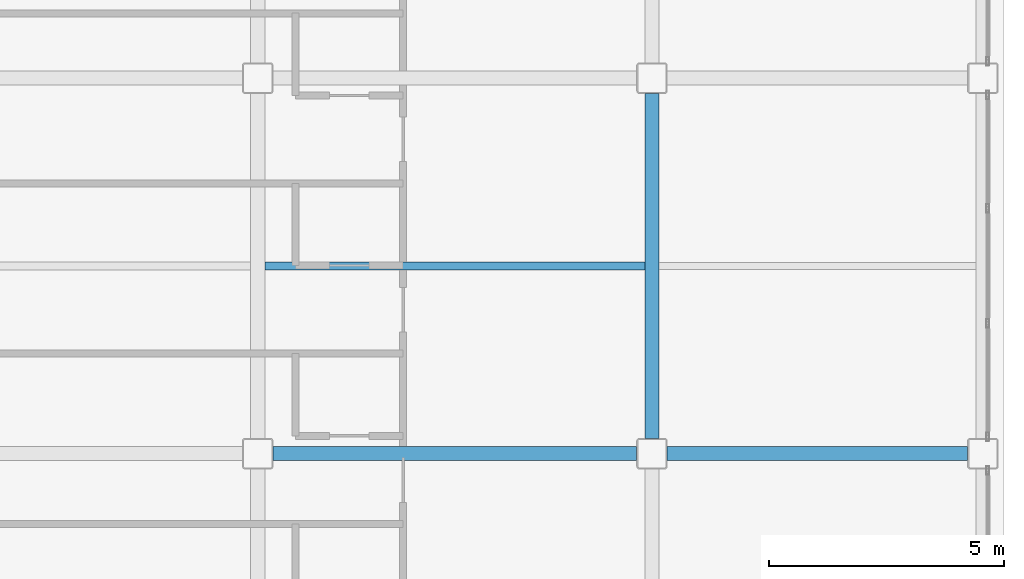
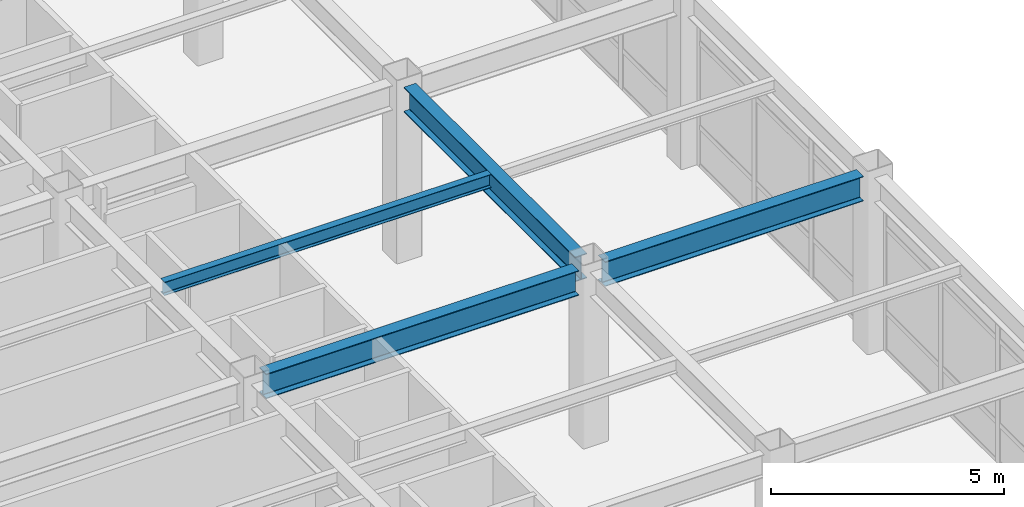
# One storey, part 34 of 61: 4 beams.
"""IFC4 building model written with IfcOpenShell, lengths in metres."""

from ifc_helpers import new_model, si_unit, direction, frame, origin, origin_2d, place, context, subcontext, project, spatial, i_section, extrude, material, material_profile, profile_set, type_object, element, save


model = new_model("IFC4")

# Units and contexts
model_context = context("Model", 3, precision=1e-05, world=origin(), true_north=direction((0.0, 1.0)))
body_context = subcontext(model_context, "Body", "Model", "MODEL_VIEW")
ifc_project = project(units=[si_unit("LENGTHUNIT", "METRE"), si_unit("AREAUNIT", "SQUARE_METRE"), si_unit("VOLUMEUNIT", "CUBIC_METRE"), si_unit("PLANEANGLEUNIT", "RADIAN"), si_unit("MASSUNIT", "GRAM", prefix="KILO")], contexts=[model_context])

# Site, building, storey
site_placement = place(None, origin())
site = spatial("IfcSite", under=ifc_project, at=site_placement, CompositionType="ELEMENT")
building_placement = place(site_placement, origin())
building = spatial("IfcBuilding", under=site, at=building_placement, Name="Kazehara Bluff Congress Hotel", CompositionType="ELEMENT")
storey_placement = place(building_placement, frame((0.0, 0.0, 19.800048828125)))
storey = spatial("IfcBuildingStorey", under=building, at=storey_placement, Name="L04", CompositionType="ELEMENT", Elevation=19.800048828125)

# Beams
ifc_material_1 = material(Name="Steel SN490B", Category="steel")
ifc_material_profile_1 = material_profile(ifc_material_1, i_section(OverallWidth=0.300048828125, OverallDepth=0.64990234375, WebThickness=0.011962890625, FlangeThickness=0.02001953125, FilletRadius=0.012939453125, at=origin_2d()))
ifc_profile_set_1 = profile_set([ifc_material_profile_1], Name="Steel SN490B")
beam_type_1 = type_object("IfcBeamType", Name="TP-G-03", PredefinedType="BEAM", material=ifc_profile_set_1)
beam_1_placement = place(storey_placement, frame((160.5, 89.22509765625, 4.2548828125), z_axis=(0.0, 1.0, 0.0), x_axis=(-1.0, 0.0, 0.0)))
element("IfcBeam", 1, at=beam_1_placement, inside=storey, type_object=beam_type_1, Name="L04 girder G-03 64", PredefinedType="BEAM", context=body_context, shape_type="SweptSolid", body=[
    extrude(i_section(OverallWidth=0.300048828125, OverallDepth=0.64990234375, WebThickness=0.011962890625, FlangeThickness=0.02001953125, FilletRadius=0.012939453125, at=origin_2d()), origin(), (0.0, 0.0, 1.0), 7.349853515625),
])
beam_2_placement = place(storey_placement, frame((152.425048828125, 88.89990234375, 4.2548828125), z_axis=(1.0, 0.0, 0.0), x_axis=(0.0, 1.0, 0.0)))
element("IfcBeam", 2, at=beam_2_placement, inside=storey, type_object=beam_type_1, Name="L04 girder G-03 108", PredefinedType="BEAM", context=body_context, shape_type="SweptSolid", body=[
    extrude(i_section(OverallWidth=0.300048828125, OverallDepth=0.64990234375, WebThickness=0.011962890625, FlangeThickness=0.02001953125, FilletRadius=0.012939453125, at=origin_2d()), origin(), (0.0, 0.0, 1.0), 7.75),
])
beam_3_placement = place(storey_placement, frame((160.824951171875, 88.89990234375, 4.2548828125), z_axis=(1.0, 0.0, 0.0), x_axis=(0.0, 1.0, 0.0)))
element("IfcBeam", 3, at=beam_3_placement, inside=storey, type_object=beam_type_1, Name="L04 girder G-03 109", PredefinedType="BEAM", context=body_context, shape_type="SweptSolid", body=[
    extrude(i_section(OverallWidth=0.300048828125, OverallDepth=0.64990234375, WebThickness=0.011962890625, FlangeThickness=0.02001953125, FilletRadius=0.012939453125, at=origin_2d()), origin(), (0.0, 0.0, 1.0), 6.400146484375),
])
ifc_material_2 = material(Name="Steel SN400B", Category="steel")
ifc_material_profile_2 = material_profile(ifc_material_2, i_section(OverallWidth=0.175048828125, OverallDepth=0.35009765625, WebThickness=0.007080078125, FlangeThickness=0.010986328125, FilletRadius=0.012939453125, at=origin_2d()))
ifc_profile_set_2 = profile_set([ifc_material_profile_2], Name="Steel SN400B")
beam_type_2 = type_object("IfcBeamType", Name="TP-J-02", PredefinedType="JOIST", material=ifc_profile_set_2)
beam_4_placement = place(storey_placement, frame((152.25, 92.89990234375, 4.405029296875), z_axis=(1.0, 0.0, 0.0), x_axis=(0.0, 1.0, 0.0)))
element("IfcBeam", 4, at=beam_4_placement, inside=storey, type_object=beam_type_2, Name="L04 secondary joist J-02 26", PredefinedType="JOIST", context=body_context, shape_type="SweptSolid", body=[
    extrude(i_section(OverallWidth=0.175048828125, OverallDepth=0.35009765625, WebThickness=0.007080078125, FlangeThickness=0.010986328125, FilletRadius=0.012939453125, at=origin_2d()), origin(), (0.0, 0.0, 1.0), 8.10009765625),
])

save(model, "model.ifc")
